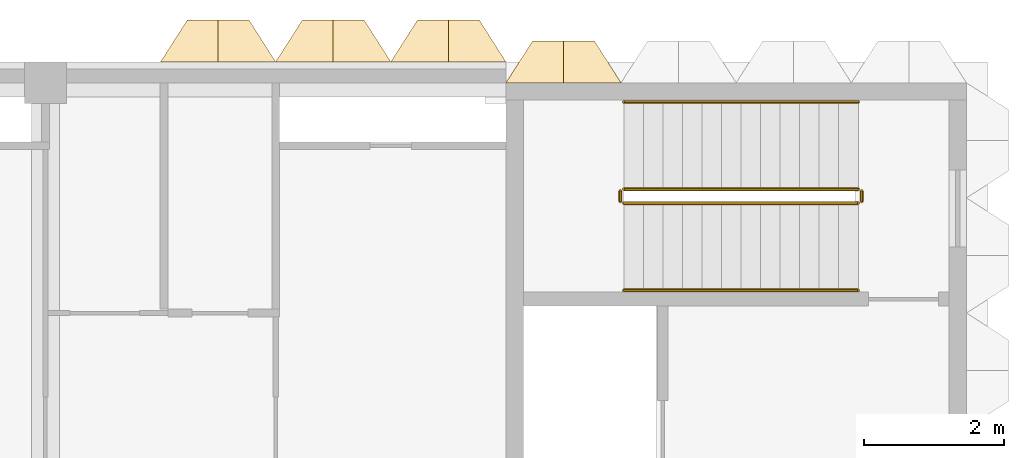
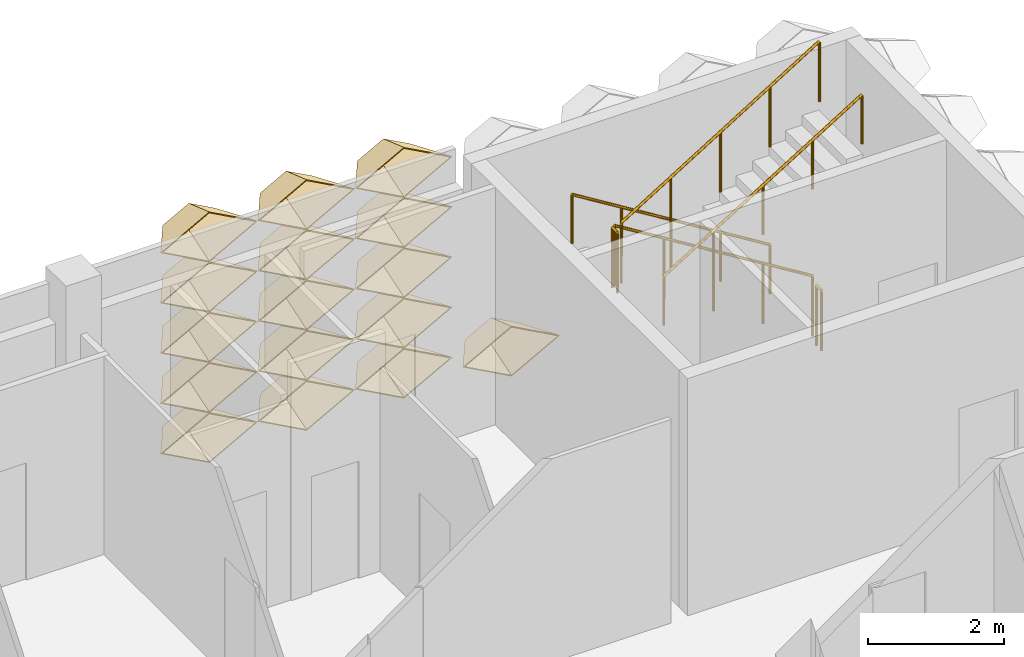
# One storey, part 84 of 87: 16 coverings, 6 railings.
"""IFC4 building model written with IfcOpenShell, lengths in metres."""

from ifc_helpers import new_model, entity, si_unit, direction, frame, origin, origin_2d, place, context, subcontext, project, spatial, circle, extrude, material, layer, layer_set, type_object, element, save


model = new_model("IFC4")

# Units and contexts
model_context = context("Model", 3, precision=1e-05, world=origin(), true_north=direction((0.0, 1.0)))
body_context = subcontext(model_context, "Body", "Model", "MODEL_VIEW")
ifc_project = project(units=[si_unit("LENGTHUNIT", "METRE"), si_unit("AREAUNIT", "SQUARE_METRE"), si_unit("VOLUMEUNIT", "CUBIC_METRE"), si_unit("PLANEANGLEUNIT", "RADIAN"), si_unit("MASSUNIT", "GRAM", prefix="KILO")], contexts=[model_context])

# Site, building, storey
site_placement = place(None, origin())
site = spatial("IfcSite", under=ifc_project, at=site_placement, CompositionType="ELEMENT")
building_placement = place(site_placement, origin())
building = spatial("IfcBuilding", under=site, at=building_placement, Name="Lantern Court Research Institute", CompositionType="ELEMENT")
storey_placement = place(building_placement, frame((0.0, 0.0, 5.39990234375)))
storey = spatial("IfcBuildingStorey", under=building, at=storey_placement, Name="L01", CompositionType="ELEMENT", Elevation=5.39990234375)

# Coverings
ifc_material_1 = material(Name="Anodised aluminium", Category="aluminium")
ifc_layer = layer(ifc_material_1, 0.01611328125)
ifc_layer_set = layer_set([ifc_layer], Name="Anodised aluminium")
covering_type = type_object("IfcCoveringType", Name="Fin cassette 1650 x 900 x 600 aluminium", PredefinedType="CLADDING", material=ifc_layer_set)
covering_1_placement = place(storey_placement, frame((73.425048828125, 99.0, 0.4501953125), z_axis=(0.0, 1.0, 0.0), x_axis=(-1.0, 0.0, 0.0)))
cartesian_point_1 = entity("IfcCartesianPoint", [0.824951171875, 0.0])
cartesian_point_2 = entity("IfcCartesianPoint", [0.79150390625, 0.0])
cartesian_point_3 = entity("IfcCartesianPoint", [0.44189453125, 0.0])
cartesian_point_4 = entity("IfcCartesianPoint", [0.43359375, 0.0])
element("IfcCovering", 1, at=covering_1_placement, inside=storey, type_object=covering_type, Name="Fin cassette V6N-L01 1.45", PredefinedType="CLADDING", context=body_context, shape_type="SweptSolid", body=[
    entity("IfcExtrudedAreaSolidTapered", entity("IfcArbitraryProfileDefWithVoids", "AREA", None, entity("IfcPolyline", [cartesian_point_1, entity("IfcCartesianPoint", [0.0, 0.449951171875]), entity("IfcCartesianPoint", [-0.824951171875, 0.0]), entity("IfcCartesianPoint", [0.0, -0.449951171875]), cartesian_point_1]), [entity("IfcPolyline", [cartesian_point_2, entity("IfcCartesianPoint", [0.0, 0.431884765625]), entity("IfcCartesianPoint", [-0.79150390625, 0.0]), entity("IfcCartesianPoint", [0.0, -0.431884765625]), cartesian_point_2])]), entity("IfcAxis2Placement3D", entity("IfcCartesianPoint", [0.0, 0.0, 0.0])), entity("IfcDirection", [0.0, 0.0, 1.0]), 0.60009765625, entity("IfcArbitraryProfileDefWithVoids", "AREA", None, entity("IfcPolyline", [cartesian_point_3, entity("IfcCartesianPoint", [0.0, 0.240966796875]), entity("IfcCartesianPoint", [-0.44189453125, 0.0]), entity("IfcCartesianPoint", [0.0, -0.240966796875]), cartesian_point_3]), [entity("IfcPolyline", [cartesian_point_4, entity("IfcCartesianPoint", [0.0, 0.236572265625]), entity("IfcCartesianPoint", [-0.43359375, 0.0]), entity("IfcCartesianPoint", [0.0, -0.236572265625]), cartesian_point_4])])),
])
covering_2_placement = place(storey_placement, frame((68.47509765625, 99.300048828125, 0.4501953125), z_axis=(0.0, 1.0, 0.0), x_axis=(-1.0, 0.0, 0.0)))
cartesian_point_5 = entity("IfcCartesianPoint", [0.824951171875, 0.0])
cartesian_point_6 = entity("IfcCartesianPoint", [0.79150390625, 0.0])
cartesian_point_7 = entity("IfcCartesianPoint", [0.44189453125, 0.0])
cartesian_point_8 = entity("IfcCartesianPoint", [0.43359375, 0.0])
element("IfcCovering", 2, at=covering_2_placement, inside=storey, type_object=covering_type, Name="Fin cassette V6N-L01 1.42", PredefinedType="CLADDING", context=body_context, shape_type="SweptSolid", body=[
    entity("IfcExtrudedAreaSolidTapered", entity("IfcArbitraryProfileDefWithVoids", "AREA", None, entity("IfcPolyline", [cartesian_point_5, entity("IfcCartesianPoint", [0.0, 0.449951171875]), entity("IfcCartesianPoint", [-0.824951171875, 0.0]), entity("IfcCartesianPoint", [0.0, -0.449951171875]), cartesian_point_5]), [entity("IfcPolyline", [cartesian_point_6, entity("IfcCartesianPoint", [0.0, 0.431884765625]), entity("IfcCartesianPoint", [-0.79150390625, 0.0]), entity("IfcCartesianPoint", [0.0, -0.431884765625]), cartesian_point_6])]), entity("IfcAxis2Placement3D", entity("IfcCartesianPoint", [0.0, 0.0, 0.0])), entity("IfcDirection", [0.0, 0.0, 1.0]), 0.60009765625, entity("IfcArbitraryProfileDefWithVoids", "AREA", None, entity("IfcPolyline", [cartesian_point_7, entity("IfcCartesianPoint", [0.0, 0.240966796875]), entity("IfcCartesianPoint", [-0.44189453125, 0.0]), entity("IfcCartesianPoint", [0.0, -0.240966796875]), cartesian_point_7]), [entity("IfcPolyline", [cartesian_point_8, entity("IfcCartesianPoint", [0.0, 0.236572265625]), entity("IfcCartesianPoint", [-0.43359375, 0.0]), entity("IfcCartesianPoint", [0.0, -0.236572265625]), cartesian_point_8])])),
])
covering_3_placement = place(storey_placement, frame((70.125, 99.300048828125, 0.4501953125), z_axis=(0.0, 1.0, 0.0), x_axis=(-1.0, 0.0, 0.0)))
cartesian_point_9 = entity("IfcCartesianPoint", [0.824951171875, 0.0])
cartesian_point_10 = entity("IfcCartesianPoint", [0.79150390625, 0.0])
cartesian_point_11 = entity("IfcCartesianPoint", [0.44189453125, 0.0])
cartesian_point_12 = entity("IfcCartesianPoint", [0.43359375, 0.0])
element("IfcCovering", 3, at=covering_3_placement, inside=storey, type_object=covering_type, Name="Fin cassette V6N-L01 1.43", PredefinedType="CLADDING", context=body_context, shape_type="SweptSolid", body=[
    entity("IfcExtrudedAreaSolidTapered", entity("IfcArbitraryProfileDefWithVoids", "AREA", None, entity("IfcPolyline", [cartesian_point_9, entity("IfcCartesianPoint", [0.0, 0.449951171875]), entity("IfcCartesianPoint", [-0.824951171875, 0.0]), entity("IfcCartesianPoint", [0.0, -0.449951171875]), cartesian_point_9]), [entity("IfcPolyline", [cartesian_point_10, entity("IfcCartesianPoint", [0.0, 0.431884765625]), entity("IfcCartesianPoint", [-0.79150390625, 0.0]), entity("IfcCartesianPoint", [0.0, -0.431884765625]), cartesian_point_10])]), entity("IfcAxis2Placement3D", entity("IfcCartesianPoint", [0.0, 0.0, 0.0])), entity("IfcDirection", [0.0, 0.0, 1.0]), 0.60009765625, entity("IfcArbitraryProfileDefWithVoids", "AREA", None, entity("IfcPolyline", [cartesian_point_11, entity("IfcCartesianPoint", [0.0, 0.240966796875]), entity("IfcCartesianPoint", [-0.44189453125, 0.0]), entity("IfcCartesianPoint", [0.0, -0.240966796875]), cartesian_point_11]), [entity("IfcPolyline", [cartesian_point_12, entity("IfcCartesianPoint", [0.0, 0.236572265625]), entity("IfcCartesianPoint", [-0.43359375, 0.0]), entity("IfcCartesianPoint", [0.0, -0.236572265625]), cartesian_point_12])])),
])
covering_4_placement = place(storey_placement, frame((71.77490234375, 99.300048828125, 0.4501953125), z_axis=(0.0, 1.0, 0.0), x_axis=(-1.0, 0.0, 0.0)))
cartesian_point_13 = entity("IfcCartesianPoint", [0.824951171875, 0.0])
cartesian_point_14 = entity("IfcCartesianPoint", [0.79150390625, 0.0])
cartesian_point_15 = entity("IfcCartesianPoint", [0.44189453125, 0.0])
cartesian_point_16 = entity("IfcCartesianPoint", [0.43359375, 0.0])
element("IfcCovering", 4, at=covering_4_placement, inside=storey, type_object=covering_type, Name="Fin cassette V6N-L01 1.44", PredefinedType="CLADDING", context=body_context, shape_type="SweptSolid", body=[
    entity("IfcExtrudedAreaSolidTapered", entity("IfcArbitraryProfileDefWithVoids", "AREA", None, entity("IfcPolyline", [cartesian_point_13, entity("IfcCartesianPoint", [0.0, 0.449951171875]), entity("IfcCartesianPoint", [-0.824951171875, 0.0]), entity("IfcCartesianPoint", [0.0, -0.449951171875]), cartesian_point_13]), [entity("IfcPolyline", [cartesian_point_14, entity("IfcCartesianPoint", [0.0, 0.431884765625]), entity("IfcCartesianPoint", [-0.79150390625, 0.0]), entity("IfcCartesianPoint", [0.0, -0.431884765625]), cartesian_point_14])]), entity("IfcAxis2Placement3D", entity("IfcCartesianPoint", [0.0, 0.0, 0.0])), entity("IfcDirection", [0.0, 0.0, 1.0]), 0.60009765625, entity("IfcArbitraryProfileDefWithVoids", "AREA", None, entity("IfcPolyline", [cartesian_point_15, entity("IfcCartesianPoint", [0.0, 0.240966796875]), entity("IfcCartesianPoint", [-0.44189453125, 0.0]), entity("IfcCartesianPoint", [0.0, -0.240966796875]), cartesian_point_15]), [entity("IfcPolyline", [cartesian_point_16, entity("IfcCartesianPoint", [0.0, 0.236572265625]), entity("IfcCartesianPoint", [-0.43359375, 0.0]), entity("IfcCartesianPoint", [0.0, -0.236572265625]), cartesian_point_16])])),
])
covering_5_placement = place(storey_placement, frame((68.47509765625, 99.300048828125, 1.35009765625), z_axis=(0.0, 1.0, 0.0), x_axis=(-1.0, 0.0, 0.0)))
cartesian_point_17 = entity("IfcCartesianPoint", [0.824951171875, 0.0])
cartesian_point_18 = entity("IfcCartesianPoint", [0.79150390625, 0.0])
cartesian_point_19 = entity("IfcCartesianPoint", [0.44189453125, 0.0])
cartesian_point_20 = entity("IfcCartesianPoint", [0.43359375, 0.0])
element("IfcCovering", 5, at=covering_5_placement, inside=storey, type_object=covering_type, Name="Fin cassette V6N-L01 2.42", PredefinedType="CLADDING", context=body_context, shape_type="SweptSolid", body=[
    entity("IfcExtrudedAreaSolidTapered", entity("IfcArbitraryProfileDefWithVoids", "AREA", None, entity("IfcPolyline", [cartesian_point_17, entity("IfcCartesianPoint", [0.0, 0.449951171875]), entity("IfcCartesianPoint", [-0.824951171875, 0.0]), entity("IfcCartesianPoint", [0.0, -0.449951171875]), cartesian_point_17]), [entity("IfcPolyline", [cartesian_point_18, entity("IfcCartesianPoint", [0.0, 0.431884765625]), entity("IfcCartesianPoint", [-0.79150390625, 0.0]), entity("IfcCartesianPoint", [0.0, -0.431884765625]), cartesian_point_18])]), entity("IfcAxis2Placement3D", entity("IfcCartesianPoint", [0.0, 0.0, 0.0])), entity("IfcDirection", [0.0, 0.0, 1.0]), 0.60009765625, entity("IfcArbitraryProfileDefWithVoids", "AREA", None, entity("IfcPolyline", [cartesian_point_19, entity("IfcCartesianPoint", [0.0, 0.240966796875]), entity("IfcCartesianPoint", [-0.44189453125, 0.0]), entity("IfcCartesianPoint", [0.0, -0.240966796875]), cartesian_point_19]), [entity("IfcPolyline", [cartesian_point_20, entity("IfcCartesianPoint", [0.0, 0.236572265625]), entity("IfcCartesianPoint", [-0.43359375, 0.0]), entity("IfcCartesianPoint", [0.0, -0.236572265625]), cartesian_point_20])])),
])
covering_6_placement = place(storey_placement, frame((70.125, 99.300048828125, 1.35009765625), z_axis=(0.0, 1.0, 0.0), x_axis=(-1.0, 0.0, 0.0)))
cartesian_point_21 = entity("IfcCartesianPoint", [0.824951171875, 0.0])
cartesian_point_22 = entity("IfcCartesianPoint", [0.79150390625, 0.0])
cartesian_point_23 = entity("IfcCartesianPoint", [0.44189453125, 0.0])
cartesian_point_24 = entity("IfcCartesianPoint", [0.43359375, 0.0])
element("IfcCovering", 6, at=covering_6_placement, inside=storey, type_object=covering_type, Name="Fin cassette V6N-L01 2.43", PredefinedType="CLADDING", context=body_context, shape_type="SweptSolid", body=[
    entity("IfcExtrudedAreaSolidTapered", entity("IfcArbitraryProfileDefWithVoids", "AREA", None, entity("IfcPolyline", [cartesian_point_21, entity("IfcCartesianPoint", [0.0, 0.449951171875]), entity("IfcCartesianPoint", [-0.824951171875, 0.0]), entity("IfcCartesianPoint", [0.0, -0.449951171875]), cartesian_point_21]), [entity("IfcPolyline", [cartesian_point_22, entity("IfcCartesianPoint", [0.0, 0.431884765625]), entity("IfcCartesianPoint", [-0.79150390625, 0.0]), entity("IfcCartesianPoint", [0.0, -0.431884765625]), cartesian_point_22])]), entity("IfcAxis2Placement3D", entity("IfcCartesianPoint", [0.0, 0.0, 0.0])), entity("IfcDirection", [0.0, 0.0, 1.0]), 0.60009765625, entity("IfcArbitraryProfileDefWithVoids", "AREA", None, entity("IfcPolyline", [cartesian_point_23, entity("IfcCartesianPoint", [0.0, 0.240966796875]), entity("IfcCartesianPoint", [-0.44189453125, 0.0]), entity("IfcCartesianPoint", [0.0, -0.240966796875]), cartesian_point_23]), [entity("IfcPolyline", [cartesian_point_24, entity("IfcCartesianPoint", [0.0, 0.236572265625]), entity("IfcCartesianPoint", [-0.43359375, 0.0]), entity("IfcCartesianPoint", [0.0, -0.236572265625]), cartesian_point_24])])),
])
covering_7_placement = place(storey_placement, frame((71.77490234375, 99.300048828125, 1.35009765625), z_axis=(0.0, 1.0, 0.0), x_axis=(-1.0, 0.0, 0.0)))
cartesian_point_25 = entity("IfcCartesianPoint", [0.824951171875, 0.0])
cartesian_point_26 = entity("IfcCartesianPoint", [0.79150390625, 0.0])
cartesian_point_27 = entity("IfcCartesianPoint", [0.44189453125, 0.0])
cartesian_point_28 = entity("IfcCartesianPoint", [0.43359375, 0.0])
element("IfcCovering", 7, at=covering_7_placement, inside=storey, type_object=covering_type, Name="Fin cassette V6N-L01 2.44", PredefinedType="CLADDING", context=body_context, shape_type="SweptSolid", body=[
    entity("IfcExtrudedAreaSolidTapered", entity("IfcArbitraryProfileDefWithVoids", "AREA", None, entity("IfcPolyline", [cartesian_point_25, entity("IfcCartesianPoint", [0.0, 0.449951171875]), entity("IfcCartesianPoint", [-0.824951171875, 0.0]), entity("IfcCartesianPoint", [0.0, -0.449951171875]), cartesian_point_25]), [entity("IfcPolyline", [cartesian_point_26, entity("IfcCartesianPoint", [0.0, 0.431884765625]), entity("IfcCartesianPoint", [-0.79150390625, 0.0]), entity("IfcCartesianPoint", [0.0, -0.431884765625]), cartesian_point_26])]), entity("IfcAxis2Placement3D", entity("IfcCartesianPoint", [0.0, 0.0, 0.0])), entity("IfcDirection", [0.0, 0.0, 1.0]), 0.60009765625, entity("IfcArbitraryProfileDefWithVoids", "AREA", None, entity("IfcPolyline", [cartesian_point_27, entity("IfcCartesianPoint", [0.0, 0.240966796875]), entity("IfcCartesianPoint", [-0.44189453125, 0.0]), entity("IfcCartesianPoint", [0.0, -0.240966796875]), cartesian_point_27]), [entity("IfcPolyline", [cartesian_point_28, entity("IfcCartesianPoint", [0.0, 0.236572265625]), entity("IfcCartesianPoint", [-0.43359375, 0.0]), entity("IfcCartesianPoint", [0.0, -0.236572265625]), cartesian_point_28])])),
])
covering_8_placement = place(storey_placement, frame((68.47509765625, 99.300048828125, 2.25), z_axis=(0.0, 1.0, 0.0), x_axis=(-1.0, 0.0, 0.0)))
cartesian_point_29 = entity("IfcCartesianPoint", [0.824951171875, 0.0])
cartesian_point_30 = entity("IfcCartesianPoint", [0.79150390625, 0.0])
cartesian_point_31 = entity("IfcCartesianPoint", [0.44189453125, 0.0])
cartesian_point_32 = entity("IfcCartesianPoint", [0.43359375, 0.0])
element("IfcCovering", 8, at=covering_8_placement, inside=storey, type_object=covering_type, Name="Fin cassette V6N-L01 3.42", PredefinedType="CLADDING", context=body_context, shape_type="SweptSolid", body=[
    entity("IfcExtrudedAreaSolidTapered", entity("IfcArbitraryProfileDefWithVoids", "AREA", None, entity("IfcPolyline", [cartesian_point_29, entity("IfcCartesianPoint", [0.0, 0.449951171875]), entity("IfcCartesianPoint", [-0.824951171875, 0.0]), entity("IfcCartesianPoint", [0.0, -0.449951171875]), cartesian_point_29]), [entity("IfcPolyline", [cartesian_point_30, entity("IfcCartesianPoint", [0.0, 0.431884765625]), entity("IfcCartesianPoint", [-0.79150390625, 0.0]), entity("IfcCartesianPoint", [0.0, -0.431884765625]), cartesian_point_30])]), entity("IfcAxis2Placement3D", entity("IfcCartesianPoint", [0.0, 0.0, 0.0])), entity("IfcDirection", [0.0, 0.0, 1.0]), 0.60009765625, entity("IfcArbitraryProfileDefWithVoids", "AREA", None, entity("IfcPolyline", [cartesian_point_31, entity("IfcCartesianPoint", [0.0, 0.240966796875]), entity("IfcCartesianPoint", [-0.44189453125, 0.0]), entity("IfcCartesianPoint", [0.0, -0.240966796875]), cartesian_point_31]), [entity("IfcPolyline", [cartesian_point_32, entity("IfcCartesianPoint", [0.0, 0.236572265625]), entity("IfcCartesianPoint", [-0.43359375, 0.0]), entity("IfcCartesianPoint", [0.0, -0.236572265625]), cartesian_point_32])])),
])
covering_9_placement = place(storey_placement, frame((70.125, 99.300048828125, 2.25), z_axis=(0.0, 1.0, 0.0), x_axis=(-1.0, 0.0, 0.0)))
cartesian_point_33 = entity("IfcCartesianPoint", [0.824951171875, 0.0])
cartesian_point_34 = entity("IfcCartesianPoint", [0.79150390625, 0.0])
cartesian_point_35 = entity("IfcCartesianPoint", [0.44189453125, 0.0])
cartesian_point_36 = entity("IfcCartesianPoint", [0.43359375, 0.0])
element("IfcCovering", 9, at=covering_9_placement, inside=storey, type_object=covering_type, Name="Fin cassette V6N-L01 3.43", PredefinedType="CLADDING", context=body_context, shape_type="SweptSolid", body=[
    entity("IfcExtrudedAreaSolidTapered", entity("IfcArbitraryProfileDefWithVoids", "AREA", None, entity("IfcPolyline", [cartesian_point_33, entity("IfcCartesianPoint", [0.0, 0.449951171875]), entity("IfcCartesianPoint", [-0.824951171875, 0.0]), entity("IfcCartesianPoint", [0.0, -0.449951171875]), cartesian_point_33]), [entity("IfcPolyline", [cartesian_point_34, entity("IfcCartesianPoint", [0.0, 0.431884765625]), entity("IfcCartesianPoint", [-0.79150390625, 0.0]), entity("IfcCartesianPoint", [0.0, -0.431884765625]), cartesian_point_34])]), entity("IfcAxis2Placement3D", entity("IfcCartesianPoint", [0.0, 0.0, 0.0])), entity("IfcDirection", [0.0, 0.0, 1.0]), 0.60009765625, entity("IfcArbitraryProfileDefWithVoids", "AREA", None, entity("IfcPolyline", [cartesian_point_35, entity("IfcCartesianPoint", [0.0, 0.240966796875]), entity("IfcCartesianPoint", [-0.44189453125, 0.0]), entity("IfcCartesianPoint", [0.0, -0.240966796875]), cartesian_point_35]), [entity("IfcPolyline", [cartesian_point_36, entity("IfcCartesianPoint", [0.0, 0.236572265625]), entity("IfcCartesianPoint", [-0.43359375, 0.0]), entity("IfcCartesianPoint", [0.0, -0.236572265625]), cartesian_point_36])])),
])
covering_10_placement = place(storey_placement, frame((71.77490234375, 99.300048828125, 2.25), z_axis=(0.0, 1.0, 0.0), x_axis=(-1.0, 0.0, 0.0)))
cartesian_point_37 = entity("IfcCartesianPoint", [0.824951171875, 0.0])
cartesian_point_38 = entity("IfcCartesianPoint", [0.79150390625, 0.0])
cartesian_point_39 = entity("IfcCartesianPoint", [0.44189453125, 0.0])
cartesian_point_40 = entity("IfcCartesianPoint", [0.43359375, 0.0])
element("IfcCovering", 10, at=covering_10_placement, inside=storey, type_object=covering_type, Name="Fin cassette V6N-L01 3.44", PredefinedType="CLADDING", context=body_context, shape_type="SweptSolid", body=[
    entity("IfcExtrudedAreaSolidTapered", entity("IfcArbitraryProfileDefWithVoids", "AREA", None, entity("IfcPolyline", [cartesian_point_37, entity("IfcCartesianPoint", [0.0, 0.449951171875]), entity("IfcCartesianPoint", [-0.824951171875, 0.0]), entity("IfcCartesianPoint", [0.0, -0.449951171875]), cartesian_point_37]), [entity("IfcPolyline", [cartesian_point_38, entity("IfcCartesianPoint", [0.0, 0.431884765625]), entity("IfcCartesianPoint", [-0.79150390625, 0.0]), entity("IfcCartesianPoint", [0.0, -0.431884765625]), cartesian_point_38])]), entity("IfcAxis2Placement3D", entity("IfcCartesianPoint", [0.0, 0.0, 0.0])), entity("IfcDirection", [0.0, 0.0, 1.0]), 0.60009765625, entity("IfcArbitraryProfileDefWithVoids", "AREA", None, entity("IfcPolyline", [cartesian_point_39, entity("IfcCartesianPoint", [0.0, 0.240966796875]), entity("IfcCartesianPoint", [-0.44189453125, 0.0]), entity("IfcCartesianPoint", [0.0, -0.240966796875]), cartesian_point_39]), [entity("IfcPolyline", [cartesian_point_40, entity("IfcCartesianPoint", [0.0, 0.236572265625]), entity("IfcCartesianPoint", [-0.43359375, 0.0]), entity("IfcCartesianPoint", [0.0, -0.236572265625]), cartesian_point_40])])),
])
covering_11_placement = place(storey_placement, frame((68.47509765625, 99.300048828125, 3.150146484375), z_axis=(0.0, 1.0, 0.0), x_axis=(-1.0, 0.0, 0.0)))
cartesian_point_41 = entity("IfcCartesianPoint", [0.824951171875, 0.0])
cartesian_point_42 = entity("IfcCartesianPoint", [0.79150390625, 0.0])
cartesian_point_43 = entity("IfcCartesianPoint", [0.44189453125, 0.0])
cartesian_point_44 = entity("IfcCartesianPoint", [0.43359375, 0.0])
element("IfcCovering", 11, at=covering_11_placement, inside=storey, type_object=covering_type, Name="Fin cassette V6N-L01 4.42", PredefinedType="CLADDING", context=body_context, shape_type="SweptSolid", body=[
    entity("IfcExtrudedAreaSolidTapered", entity("IfcArbitraryProfileDefWithVoids", "AREA", None, entity("IfcPolyline", [cartesian_point_41, entity("IfcCartesianPoint", [0.0, 0.449951171875]), entity("IfcCartesianPoint", [-0.824951171875, 0.0]), entity("IfcCartesianPoint", [0.0, -0.449951171875]), cartesian_point_41]), [entity("IfcPolyline", [cartesian_point_42, entity("IfcCartesianPoint", [0.0, 0.431884765625]), entity("IfcCartesianPoint", [-0.79150390625, 0.0]), entity("IfcCartesianPoint", [0.0, -0.431884765625]), cartesian_point_42])]), entity("IfcAxis2Placement3D", entity("IfcCartesianPoint", [0.0, 0.0, 0.0])), entity("IfcDirection", [0.0, 0.0, 1.0]), 0.60009765625, entity("IfcArbitraryProfileDefWithVoids", "AREA", None, entity("IfcPolyline", [cartesian_point_43, entity("IfcCartesianPoint", [0.0, 0.240966796875]), entity("IfcCartesianPoint", [-0.44189453125, 0.0]), entity("IfcCartesianPoint", [0.0, -0.240966796875]), cartesian_point_43]), [entity("IfcPolyline", [cartesian_point_44, entity("IfcCartesianPoint", [0.0, 0.236572265625]), entity("IfcCartesianPoint", [-0.43359375, 0.0]), entity("IfcCartesianPoint", [0.0, -0.236572265625]), cartesian_point_44])])),
])
covering_12_placement = place(storey_placement, frame((70.125, 99.300048828125, 3.150146484375), z_axis=(0.0, 1.0, 0.0), x_axis=(-1.0, 0.0, 0.0)))
cartesian_point_45 = entity("IfcCartesianPoint", [0.824951171875, 0.0])
cartesian_point_46 = entity("IfcCartesianPoint", [0.79150390625, 0.0])
cartesian_point_47 = entity("IfcCartesianPoint", [0.44189453125, 0.0])
cartesian_point_48 = entity("IfcCartesianPoint", [0.43359375, 0.0])
element("IfcCovering", 12, at=covering_12_placement, inside=storey, type_object=covering_type, Name="Fin cassette V6N-L01 4.43", PredefinedType="CLADDING", context=body_context, shape_type="SweptSolid", body=[
    entity("IfcExtrudedAreaSolidTapered", entity("IfcArbitraryProfileDefWithVoids", "AREA", None, entity("IfcPolyline", [cartesian_point_45, entity("IfcCartesianPoint", [0.0, 0.449951171875]), entity("IfcCartesianPoint", [-0.824951171875, 0.0]), entity("IfcCartesianPoint", [0.0, -0.449951171875]), cartesian_point_45]), [entity("IfcPolyline", [cartesian_point_46, entity("IfcCartesianPoint", [0.0, 0.431884765625]), entity("IfcCartesianPoint", [-0.79150390625, 0.0]), entity("IfcCartesianPoint", [0.0, -0.431884765625]), cartesian_point_46])]), entity("IfcAxis2Placement3D", entity("IfcCartesianPoint", [0.0, 0.0, 0.0])), entity("IfcDirection", [0.0, 0.0, 1.0]), 0.60009765625, entity("IfcArbitraryProfileDefWithVoids", "AREA", None, entity("IfcPolyline", [cartesian_point_47, entity("IfcCartesianPoint", [0.0, 0.240966796875]), entity("IfcCartesianPoint", [-0.44189453125, 0.0]), entity("IfcCartesianPoint", [0.0, -0.240966796875]), cartesian_point_47]), [entity("IfcPolyline", [cartesian_point_48, entity("IfcCartesianPoint", [0.0, 0.236572265625]), entity("IfcCartesianPoint", [-0.43359375, 0.0]), entity("IfcCartesianPoint", [0.0, -0.236572265625]), cartesian_point_48])])),
])
covering_13_placement = place(storey_placement, frame((71.77490234375, 99.300048828125, 3.150146484375), z_axis=(0.0, 1.0, 0.0), x_axis=(-1.0, 0.0, 0.0)))
cartesian_point_49 = entity("IfcCartesianPoint", [0.824951171875, 0.0])
cartesian_point_50 = entity("IfcCartesianPoint", [0.79150390625, 0.0])
cartesian_point_51 = entity("IfcCartesianPoint", [0.44189453125, 0.0])
cartesian_point_52 = entity("IfcCartesianPoint", [0.43359375, 0.0])
element("IfcCovering", 13, at=covering_13_placement, inside=storey, type_object=covering_type, Name="Fin cassette V6N-L01 4.44", PredefinedType="CLADDING", context=body_context, shape_type="SweptSolid", body=[
    entity("IfcExtrudedAreaSolidTapered", entity("IfcArbitraryProfileDefWithVoids", "AREA", None, entity("IfcPolyline", [cartesian_point_49, entity("IfcCartesianPoint", [0.0, 0.449951171875]), entity("IfcCartesianPoint", [-0.824951171875, 0.0]), entity("IfcCartesianPoint", [0.0, -0.449951171875]), cartesian_point_49]), [entity("IfcPolyline", [cartesian_point_50, entity("IfcCartesianPoint", [0.0, 0.431884765625]), entity("IfcCartesianPoint", [-0.79150390625, 0.0]), entity("IfcCartesianPoint", [0.0, -0.431884765625]), cartesian_point_50])]), entity("IfcAxis2Placement3D", entity("IfcCartesianPoint", [0.0, 0.0, 0.0])), entity("IfcDirection", [0.0, 0.0, 1.0]), 0.60009765625, entity("IfcArbitraryProfileDefWithVoids", "AREA", None, entity("IfcPolyline", [cartesian_point_51, entity("IfcCartesianPoint", [0.0, 0.240966796875]), entity("IfcCartesianPoint", [-0.44189453125, 0.0]), entity("IfcCartesianPoint", [0.0, -0.240966796875]), cartesian_point_51]), [entity("IfcPolyline", [cartesian_point_52, entity("IfcCartesianPoint", [0.0, 0.236572265625]), entity("IfcCartesianPoint", [-0.43359375, 0.0]), entity("IfcCartesianPoint", [0.0, -0.236572265625]), cartesian_point_52])])),
])
covering_14_placement = place(storey_placement, frame((68.47509765625, 99.300048828125, 4.050048828125), z_axis=(0.0, 1.0, 0.0), x_axis=(-1.0, 0.0, 0.0)))
cartesian_point_53 = entity("IfcCartesianPoint", [0.824951171875, 0.0])
cartesian_point_54 = entity("IfcCartesianPoint", [0.79150390625, 0.0])
cartesian_point_55 = entity("IfcCartesianPoint", [0.44189453125, 0.0])
cartesian_point_56 = entity("IfcCartesianPoint", [0.43359375, 0.0])
element("IfcCovering", 14, at=covering_14_placement, inside=storey, type_object=covering_type, Name="Fin cassette V6N-L01 5.42", PredefinedType="CLADDING", context=body_context, shape_type="SweptSolid", body=[
    entity("IfcExtrudedAreaSolidTapered", entity("IfcArbitraryProfileDefWithVoids", "AREA", None, entity("IfcPolyline", [cartesian_point_53, entity("IfcCartesianPoint", [0.0, 0.449951171875]), entity("IfcCartesianPoint", [-0.824951171875, 0.0]), entity("IfcCartesianPoint", [0.0, -0.449951171875]), cartesian_point_53]), [entity("IfcPolyline", [cartesian_point_54, entity("IfcCartesianPoint", [0.0, 0.431884765625]), entity("IfcCartesianPoint", [-0.79150390625, 0.0]), entity("IfcCartesianPoint", [0.0, -0.431884765625]), cartesian_point_54])]), entity("IfcAxis2Placement3D", entity("IfcCartesianPoint", [0.0, 0.0, 0.0])), entity("IfcDirection", [0.0, 0.0, 1.0]), 0.60009765625, entity("IfcArbitraryProfileDefWithVoids", "AREA", None, entity("IfcPolyline", [cartesian_point_55, entity("IfcCartesianPoint", [0.0, 0.240966796875]), entity("IfcCartesianPoint", [-0.44189453125, 0.0]), entity("IfcCartesianPoint", [0.0, -0.240966796875]), cartesian_point_55]), [entity("IfcPolyline", [cartesian_point_56, entity("IfcCartesianPoint", [0.0, 0.236572265625]), entity("IfcCartesianPoint", [-0.43359375, 0.0]), entity("IfcCartesianPoint", [0.0, -0.236572265625]), cartesian_point_56])])),
])
covering_15_placement = place(storey_placement, frame((70.125, 99.300048828125, 4.050048828125), z_axis=(0.0, 1.0, 0.0), x_axis=(-1.0, 0.0, 0.0)))
cartesian_point_57 = entity("IfcCartesianPoint", [0.824951171875, 0.0])
cartesian_point_58 = entity("IfcCartesianPoint", [0.79150390625, 0.0])
cartesian_point_59 = entity("IfcCartesianPoint", [0.44189453125, 0.0])
cartesian_point_60 = entity("IfcCartesianPoint", [0.43359375, 0.0])
element("IfcCovering", 15, at=covering_15_placement, inside=storey, type_object=covering_type, Name="Fin cassette V6N-L01 5.43", PredefinedType="CLADDING", context=body_context, shape_type="SweptSolid", body=[
    entity("IfcExtrudedAreaSolidTapered", entity("IfcArbitraryProfileDefWithVoids", "AREA", None, entity("IfcPolyline", [cartesian_point_57, entity("IfcCartesianPoint", [0.0, 0.449951171875]), entity("IfcCartesianPoint", [-0.824951171875, 0.0]), entity("IfcCartesianPoint", [0.0, -0.449951171875]), cartesian_point_57]), [entity("IfcPolyline", [cartesian_point_58, entity("IfcCartesianPoint", [0.0, 0.431884765625]), entity("IfcCartesianPoint", [-0.79150390625, 0.0]), entity("IfcCartesianPoint", [0.0, -0.431884765625]), cartesian_point_58])]), entity("IfcAxis2Placement3D", entity("IfcCartesianPoint", [0.0, 0.0, 0.0])), entity("IfcDirection", [0.0, 0.0, 1.0]), 0.60009765625, entity("IfcArbitraryProfileDefWithVoids", "AREA", None, entity("IfcPolyline", [cartesian_point_59, entity("IfcCartesianPoint", [0.0, 0.240966796875]), entity("IfcCartesianPoint", [-0.44189453125, 0.0]), entity("IfcCartesianPoint", [0.0, -0.240966796875]), cartesian_point_59]), [entity("IfcPolyline", [cartesian_point_60, entity("IfcCartesianPoint", [0.0, 0.236572265625]), entity("IfcCartesianPoint", [-0.43359375, 0.0]), entity("IfcCartesianPoint", [0.0, -0.236572265625]), cartesian_point_60])])),
])
covering_16_placement = place(storey_placement, frame((71.77490234375, 99.300048828125, 4.050048828125), z_axis=(0.0, 1.0, 0.0), x_axis=(-1.0, 0.0, 0.0)))
cartesian_point_61 = entity("IfcCartesianPoint", [0.824951171875, 0.0])
cartesian_point_62 = entity("IfcCartesianPoint", [0.79150390625, 0.0])
cartesian_point_63 = entity("IfcCartesianPoint", [0.44189453125, 0.0])
cartesian_point_64 = entity("IfcCartesianPoint", [0.43359375, 0.0])
element("IfcCovering", 16, at=covering_16_placement, inside=storey, type_object=covering_type, Name="Fin cassette V6N-L01 5.44", PredefinedType="CLADDING", context=body_context, shape_type="SweptSolid", body=[
    entity("IfcExtrudedAreaSolidTapered", entity("IfcArbitraryProfileDefWithVoids", "AREA", None, entity("IfcPolyline", [cartesian_point_61, entity("IfcCartesianPoint", [0.0, 0.449951171875]), entity("IfcCartesianPoint", [-0.824951171875, 0.0]), entity("IfcCartesianPoint", [0.0, -0.449951171875]), cartesian_point_61]), [entity("IfcPolyline", [cartesian_point_62, entity("IfcCartesianPoint", [0.0, 0.431884765625]), entity("IfcCartesianPoint", [-0.79150390625, 0.0]), entity("IfcCartesianPoint", [0.0, -0.431884765625]), cartesian_point_62])]), entity("IfcAxis2Placement3D", entity("IfcCartesianPoint", [0.0, 0.0, 0.0])), entity("IfcDirection", [0.0, 0.0, 1.0]), 0.60009765625, entity("IfcArbitraryProfileDefWithVoids", "AREA", None, entity("IfcPolyline", [cartesian_point_63, entity("IfcCartesianPoint", [0.0, 0.240966796875]), entity("IfcCartesianPoint", [-0.44189453125, 0.0]), entity("IfcCartesianPoint", [0.0, -0.240966796875]), cartesian_point_63]), [entity("IfcPolyline", [cartesian_point_64, entity("IfcCartesianPoint", [0.0, 0.236572265625]), entity("IfcCartesianPoint", [-0.43359375, 0.0]), entity("IfcCartesianPoint", [0.0, -0.236572265625]), cartesian_point_64])])),
])

# Railings
ifc_material_2 = material(Name="Structural steel S355", Category="steel")
railing_type_1 = type_object("IfcRailingType", Name="Stair guard 1100 steel", PredefinedType="GUARDRAIL", material=ifc_material_2)
railing_1_placement = place(storey_placement, frame((77.64990234375, 97.47509765625, 0.173095703125)))
element("IfcRailing", 17, at=railing_1_placement, inside=storey, type_object=railing_type_1, Name="L01 ST-W3 stair guard 1", PredefinedType="GUARDRAIL", context=body_context, shape_type="SweptSolid", body=[
    extrude(circle(Radius=0.02392578125, at=origin_2d()), frame((0.0, 0.0, 1.076171875), z_axis=(-0.850606129759, 0.0, 0.525803396734), x_axis=(0.0, -1.0, 0.0)), (0.0, 0.0, 1.0), 3.949951171875),
    extrude(circle(Radius=0.02099609375, at=origin_2d()), origin(), (0.0, 0.0, 1.0), 1.052001953125),
    extrude(circle(Radius=0.02099609375, at=origin_2d()), frame((-0.83984375, 0.0, 0.519287109375)), (0.0, 0.0, 1.0), 1.052001953125),
    extrude(circle(Radius=0.02099609375, at=origin_2d()), frame((-1.679931640625, 0.0, 1.03857421875)), (0.0, 0.0, 1.0), 1.052001953125),
    extrude(circle(Radius=0.02099609375, at=origin_2d()), frame((-2.52001953125, 0.0, 1.5576171875)), (0.0, 0.0, 1.0), 1.052001953125),
    extrude(circle(Radius=0.02099609375, at=origin_2d()), frame((-3.35986328125, 0.0, 2.076904296875)), (0.0, 0.0, 1.0), 1.052001953125),
])
railing_2_placement = place(storey_placement, frame((74.239990234375, 97.449951171875, 2.25)))
element("IfcRailing", 18, at=railing_2_placement, inside=storey, type_object=railing_type_1, Name="L01 ST-W3 stair guard 2", PredefinedType="GUARDRAIL", context=body_context, shape_type="SweptSolid", body=[
    extrude(circle(Radius=0.02392578125, at=origin_2d()), frame((0.0, 0.0, 1.076171875), z_axis=(0.0, -1.0, 0.0), x_axis=(1.0, 0.0, 0.0)), (0.0, 0.0, 1.0), 0.14990234375),
    extrude(circle(Radius=0.02099609375, at=origin_2d()), origin(), (0.0, 0.0, 1.0), 1.052001953125),
    extrude(circle(Radius=0.02099609375, at=origin_2d()), frame((0.0, -0.14990234375, 0.0)), (0.0, 0.0, 1.0), 1.052001953125),
])
railing_3_placement = place(storey_placement, frame((74.2900390625, 97.27490234375, 2.423095703125)))
element("IfcRailing", 19, at=railing_3_placement, inside=storey, type_object=railing_type_1, Name="L01 ST-W3 stair guard 3", PredefinedType="GUARDRAIL", context=body_context, shape_type="SweptSolid", body=[
    extrude(circle(Radius=0.02392578125, at=origin_2d()), frame((0.0, 0.0, 1.076171875), z_axis=(0.850606129759, 0.0, 0.525803396734), x_axis=(0.0, 1.0, 0.0)), (0.0, 0.0, 1.0), 3.949951171875),
    extrude(circle(Radius=0.02099609375, at=origin_2d()), origin(), (0.0, 0.0, 1.0), 1.052001953125),
    extrude(circle(Radius=0.02099609375, at=origin_2d()), frame((0.83984375, 0.0, 0.519287109375)), (0.0, 0.0, 1.0), 1.052001953125),
    extrude(circle(Radius=0.02099609375, at=origin_2d()), frame((1.679931640625, 0.0, 1.03857421875)), (0.0, 0.0, 1.0), 1.052001953125),
    extrude(circle(Radius=0.02099609375, at=origin_2d()), frame((2.52001953125, 0.0, 1.5576171875)), (0.0, 0.0, 1.0), 1.052001953125),
    extrude(circle(Radius=0.02099609375, at=origin_2d()), frame((3.35986328125, 0.0, 2.076904296875)), (0.0, 0.0, 1.0), 1.052001953125),
])
railing_4_placement = place(storey_placement, frame((77.699951171875, 97.449951171875, 0.0)))
element("IfcRailing", 20, at=railing_4_placement, inside=storey, type_object=railing_type_1, Name="L01 ST-W3 stair guard 4", PredefinedType="GUARDRAIL", context=body_context, shape_type="SweptSolid", body=[
    extrude(circle(Radius=0.02392578125, at=origin_2d()), frame((0.0, 0.0, 1.076171875), z_axis=(0.0, -1.0, 0.0), x_axis=(1.0, 0.0, 0.0)), (0.0, 0.0, 1.0), 0.14990234375),
    extrude(circle(Radius=0.02099609375, at=origin_2d()), origin(), (0.0, 0.0, 1.0), 1.052001953125),
    extrude(circle(Radius=0.02099609375, at=origin_2d()), frame((0.0, -0.14990234375, 0.0)), (0.0, 0.0, 1.0), 1.052001953125),
])
ifc_material_3 = material(Name="Stainless steel 316", Category="steel")
railing_type_2 = type_object("IfcRailingType", Name="Stair handrail 900 steel", PredefinedType="HANDRAIL", material=ifc_material_3)
railing_5_placement = place(storey_placement, frame((77.64990234375, 98.72509765625, 0.173095703125)))
element("IfcRailing", 21, at=railing_5_placement, inside=storey, type_object=railing_type_2, Name="L01 ST-W3 stair handrail 1", PredefinedType="HANDRAIL", context=body_context, shape_type="SweptSolid", body=[
    extrude(circle(Radius=0.02392578125, at=origin_2d()), frame((0.0, 0.0, 0.8759765625), z_axis=(-0.850606129759, 0.0, 0.525803396734), x_axis=(0.0, -1.0, 0.0)), (0.0, 0.0, 1.0), 3.949951171875),
    extrude(circle(Radius=0.02099609375, at=origin_2d()), origin(), (0.0, 0.0, 1.0), 0.851806640625),
    extrude(circle(Radius=0.02099609375, at=origin_2d()), frame((-0.83984375, 0.0, 0.519287109375)), (0.0, 0.0, 1.0), 0.851806640625),
    extrude(circle(Radius=0.02099609375, at=origin_2d()), frame((-1.679931640625, 0.0, 1.03857421875)), (0.0, 0.0, 1.0), 0.851806640625),
    extrude(circle(Radius=0.02099609375, at=origin_2d()), frame((-2.52001953125, 0.0, 1.5576171875)), (0.0, 0.0, 1.0), 0.851806640625),
    extrude(circle(Radius=0.02099609375, at=origin_2d()), frame((-3.35986328125, 0.0, 2.076904296875)), (0.0, 0.0, 1.0), 0.851806640625),
])
railing_6_placement = place(storey_placement, frame((74.2900390625, 96.02490234375, 2.423095703125)))
element("IfcRailing", 22, at=railing_6_placement, inside=storey, type_object=railing_type_2, Name="L01 ST-W3 stair handrail 2", PredefinedType="HANDRAIL", context=body_context, shape_type="SweptSolid", body=[
    extrude(circle(Radius=0.02392578125, at=origin_2d()), frame((0.0, 0.0, 0.8759765625), z_axis=(0.850606129759, 0.0, 0.525803396734), x_axis=(0.0, 1.0, 0.0)), (0.0, 0.0, 1.0), 3.949951171875),
    extrude(circle(Radius=0.02099609375, at=origin_2d()), origin(), (0.0, 0.0, 1.0), 0.851806640625),
    extrude(circle(Radius=0.02099609375, at=origin_2d()), frame((0.83984375, 0.0, 0.519287109375)), (0.0, 0.0, 1.0), 0.851806640625),
    extrude(circle(Radius=0.02099609375, at=origin_2d()), frame((1.679931640625, 0.0, 1.03857421875)), (0.0, 0.0, 1.0), 0.851806640625),
    extrude(circle(Radius=0.02099609375, at=origin_2d()), frame((2.52001953125, 0.0, 1.5576171875)), (0.0, 0.0, 1.0), 0.851806640625),
    extrude(circle(Radius=0.02099609375, at=origin_2d()), frame((3.35986328125, 0.0, 2.076904296875)), (0.0, 0.0, 1.0), 0.851806640625),
])

save(model, "model.ifc")
